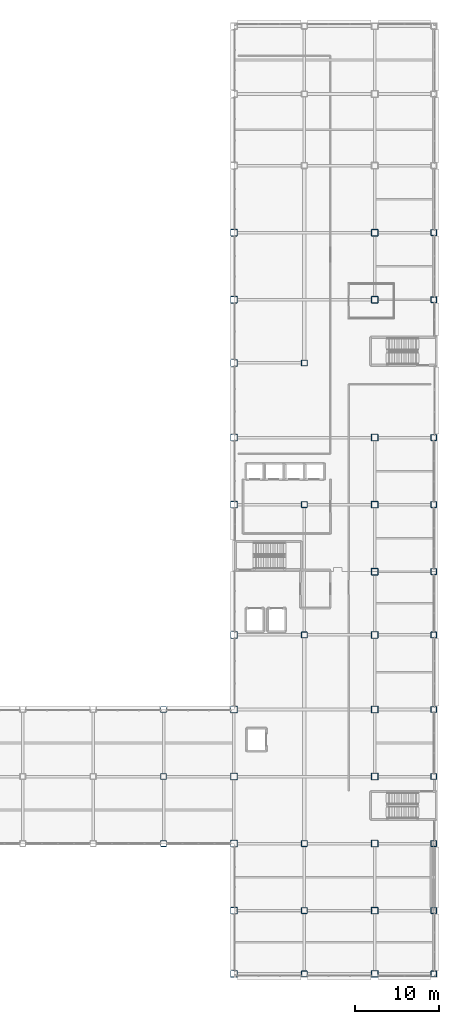
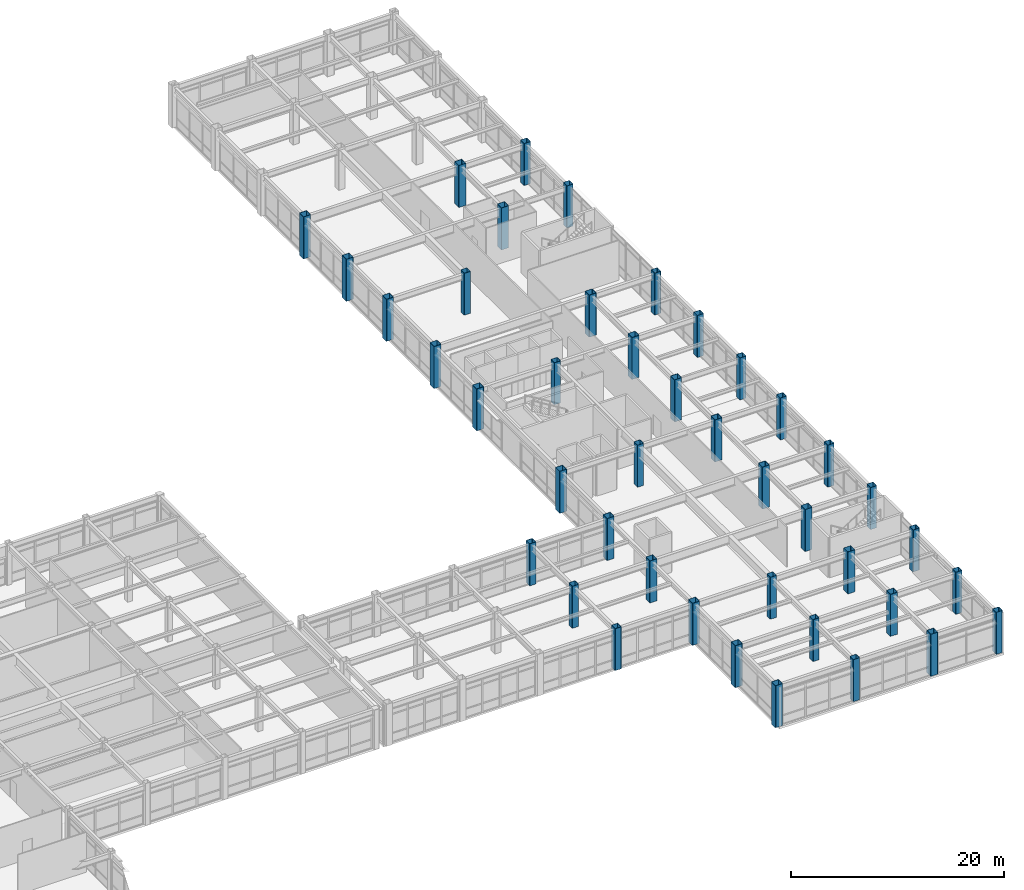
# One storey, part 12 of 154: 42 columns.
"""IFC4 building model written with IfcOpenShell, lengths in metres."""

from ifc_helpers import new_model, si_unit, direction, frame, origin, origin_2d, place, context, subcontext, project, spatial, hollow_rectangle, extrude, material, material_profile, profile_set, type_object, element, save


model = new_model("IFC4")

# Units and contexts
model_context = context("Model", 3, precision=1e-05, world=origin(), true_north=direction((0.0, 1.0)))
body_context = subcontext(model_context, "Body", "Model", "MODEL_VIEW")
ifc_project = project(units=[si_unit("LENGTHUNIT", "METRE"), si_unit("AREAUNIT", "SQUARE_METRE"), si_unit("VOLUMEUNIT", "CUBIC_METRE"), si_unit("PLANEANGLEUNIT", "RADIAN"), si_unit("MASSUNIT", "GRAM", prefix="KILO")], contexts=[model_context])

# Site, building, storey
site_placement = place(None, origin())
site = spatial("IfcSite", under=ifc_project, at=site_placement, CompositionType="ELEMENT")
building_placement = place(site_placement, origin())
building = spatial("IfcBuilding", under=site, at=building_placement, Name="Kazehara Bluff Congress Hotel", CompositionType="ELEMENT")
storey_placement = place(building_placement, frame((0.0, 0.0, 10.199951171875)))
storey = spatial("IfcBuildingStorey", under=building, at=storey_placement, Name="L02", CompositionType="ELEMENT", Elevation=10.199951171875)

# Columns
ifc_material_1 = material(Name="Steel BCR295", Category="steel")
ifc_material_profile_1 = material_profile(ifc_material_1, hollow_rectangle(XDim=0.800048828125, YDim=0.800048828125, WallThickness=0.031982421875, InnerFilletRadius=0.031982421875, OuterFilletRadius=0.06396484375, at=origin_2d()))
ifc_profile_set_1 = profile_set([ifc_material_profile_1], Name="Steel BCR295")
column_type_1 = type_object("IfcColumnType", Name="TP-C-02", PredefinedType="COLUMN", material=ifc_profile_set_1)
for number, where, z_axis, x_axis, name in (
    (1, (143.699951171875, 0.449951171875, 0.0), (0.0, 0.0, 1.0), (1.0, 0.0, 0.0), "L02 column C-02 (143.70,0.45)"),
    (2, (143.699951171875, 8.0, 0.0), (0.0, 0.0, 1.0), (1.0, 0.0, 0.0), "L02 column C-02 (143.70,8.00)"),
    (3, (143.699951171875, 16.0, 0.0), (0.0, 0.0, 1.0), (1.0, 0.0, 0.0), "L02 column C-02 (143.70,16.00)"),
    (4, (143.699951171875, 24.0, 0.0), (0.0, 0.0, 1.0), (1.0, 0.0, 0.0), "L02 column C-02 (143.70,24.00)"),
    (5, (143.699951171875, 32.0, 0.0), (0.0, 0.0, 1.0), (1.0, 0.0, 0.0), "L02 column C-02 (143.70,32.00)"),
    (6, (143.699951171875, 40.89990234375, 0.0), (0.0, 0.0, 1.0), (1.0, 0.0, 0.0), "L02 column C-02 (143.70,40.90)"),
    (7, (143.699951171875, 56.449951171875, 0.0), (0.0, 0.0, 1.0), (1.0, 0.0, 0.0), "L02 column C-02 (143.70,56.45)"),
    (8, (143.699951171875, 64.449951171875, 0.0), (0.0, 0.0, 1.0), (1.0, 0.0, 0.0), "L02 column C-02 (143.70,64.45)"),
    (9, (143.699951171875, 73.35009765625, 0.0), (0.0, 0.0, 1.0), (1.0, 0.0, 0.0), "L02 column C-02 (143.70,73.35)"),
    (10, (143.699951171875, 80.89990234375, 0.0), (0.0, 0.0, 1.0), (1.0, 0.0, 0.0), "L02 column C-02 (143.70,80.90)"),
    (11, (143.699951171875, 88.89990234375, 0.0), (0.0, 0.0, 1.0), (1.0, 0.0, 0.0), "L02 column C-02 (143.70,88.90)"),
    (12, (160.5, 0.449951171875, 0.0), (0.0, 0.0, 1.0), (1.0, 0.0, 0.0), "L02 column C-02 (160.50,0.45)"),
    (13, (160.5, 8.0, 0.0), (0.0, 0.0, 1.0), (1.0, 0.0, 0.0), "L02 column C-02 (160.50,8.00)"),
    (14, (160.5, 16.0, 0.0), (0.0, 0.0, 1.0), (1.0, 0.0, 0.0), "L02 column C-02 (160.50,16.00)"),
    (15, (160.5, 24.0, 0.0), (0.0, 0.0, 1.0), (1.0, 0.0, 0.0), "L02 column C-02 (160.50,24.00)"),
    (16, (160.5, 32.0, 0.0), (0.0, 0.0, 1.0), (1.0, 0.0, 0.0), "L02 column C-02 (160.50,32.00)"),
    (17, (160.5, 40.89990234375, 0.0), (0.0, 0.0, 1.0), (1.0, 0.0, 0.0), "L02 column C-02 (160.50,40.90)"),
    (18, (160.5, 48.449951171875, 0.0), (0.0, 0.0, 1.0), (1.0, 0.0, 0.0), "L02 column C-02 (160.50,48.45)"),
    (19, (160.5, 56.449951171875, 0.0), (0.0, 0.0, 1.0), (1.0, 0.0, 0.0), "L02 column C-02 (160.50,56.45)"),
    (20, (160.5, 64.449951171875, 0.0), (0.0, 0.0, 1.0), (1.0, 0.0, 0.0), "L02 column C-02 (160.50,64.45)"),
    (21, (160.5, 80.89990234375, 0.0), (0.0, 0.0, 1.0), (1.0, 0.0, 0.0), "L02 column C-02 (160.50,80.90)"),
    (22, (160.5, 88.89990234375, 0.0), (0.0, 0.0, 1.0), (1.0, 0.0, 0.0), "L02 column C-02 (160.50,88.90)"),
):
    element("IfcColumn", number, at=place(storey_placement, frame(where, z_axis=z_axis, x_axis=x_axis)), inside=storey, type_object=column_type_1, Name=name, PredefinedType="COLUMN", context=body_context, shape_type="SweptSolid", body=[
        extrude(hollow_rectangle(XDim=0.800048828125, YDim=0.800048828125, WallThickness=0.031982421875, InnerFilletRadius=0.031982421875, OuterFilletRadius=0.06396484375, at=origin_2d()), origin(), (0.0, 0.0, 1.0), 4.800048828125),
    ])
ifc_material_2 = material(Name="Steel BCR295", Category="steel")
ifc_material_profile_2 = material_profile(ifc_material_2, hollow_rectangle(XDim=0.699951171875, YDim=0.699951171875, WallThickness=0.028076171875, InnerFilletRadius=0.028076171875, OuterFilletRadius=0.055908203125, at=origin_2d()))
ifc_profile_set_2 = profile_set([ifc_material_profile_2], Name="Steel BCR295")
column_type_2 = type_object("IfcColumnType", Name="TP-C-03", PredefinedType="COLUMN", material=ifc_profile_set_2)
for number, where, z_axis, x_axis, name in (
    (23, (135.300048828125, 16.0, 0.0), (0.0, 0.0, 1.0), (1.0, 0.0, 0.0), "L02 column C-03 (135.30,16.00)"),
    (24, (135.300048828125, 24.0, 0.0), (0.0, 0.0, 1.0), (1.0, 0.0, 0.0), "L02 column C-03 (135.30,24.00)"),
    (25, (135.300048828125, 32.0, 0.0), (0.0, 0.0, 1.0), (1.0, 0.0, 0.0), "L02 column C-03 (135.30,32.00)"),
    (26, (152.10009765625, 0.449951171875, 0.0), (0.0, 0.0, 1.0), (1.0, 0.0, 0.0), "L02 column C-03 (152.10,0.45)"),
    (27, (152.10009765625, 8.0, 0.0), (0.0, 0.0, 1.0), (1.0, 0.0, 0.0), "L02 column C-03 (152.10,8.00)"),
    (28, (152.10009765625, 16.0, 0.0), (0.0, 0.0, 1.0), (1.0, 0.0, 0.0), "L02 column C-03 (152.10,16.00)"),
    (29, (152.10009765625, 40.89990234375, 0.0), (0.0, 0.0, 1.0), (1.0, 0.0, 0.0), "L02 column C-03 (152.10,40.90)"),
    (30, (152.10009765625, 56.449951171875, 0.0), (0.0, 0.0, 1.0), (1.0, 0.0, 0.0), "L02 column C-03 (152.10,56.45)"),
    (31, (152.10009765625, 73.35009765625, 0.0), (0.0, 0.0, 1.0), (1.0, 0.0, 0.0), "L02 column C-03 (152.10,73.35)"),
    (32, (167.550048828125, 0.449951171875, 0.0), (0.0, 0.0, 1.0), (1.0, 0.0, 0.0), "L02 column C-03 (167.55,0.45)"),
    (33, (167.550048828125, 8.0, 0.0), (0.0, 0.0, 1.0), (1.0, 0.0, 0.0), "L02 column C-03 (167.55,8.00)"),
    (34, (167.550048828125, 16.0, 0.0), (0.0, 0.0, 1.0), (1.0, 0.0, 0.0), "L02 column C-03 (167.55,16.00)"),
    (35, (167.550048828125, 24.0, 0.0), (0.0, 0.0, 1.0), (1.0, 0.0, 0.0), "L02 column C-03 (167.55,24.00)"),
    (36, (167.550048828125, 32.0, 0.0), (0.0, 0.0, 1.0), (1.0, 0.0, 0.0), "L02 column C-03 (167.55,32.00)"),
    (37, (167.550048828125, 40.89990234375, 0.0), (0.0, 0.0, 1.0), (1.0, 0.0, 0.0), "L02 column C-03 (167.55,40.90)"),
    (38, (167.550048828125, 48.449951171875, 0.0), (0.0, 0.0, 1.0), (1.0, 0.0, 0.0), "L02 column C-03 (167.55,48.45)"),
    (39, (167.550048828125, 56.449951171875, 0.0), (0.0, 0.0, 1.0), (1.0, 0.0, 0.0), "L02 column C-03 (167.55,56.45)"),
    (40, (167.550048828125, 64.449951171875, 0.0), (0.0, 0.0, 1.0), (1.0, 0.0, 0.0), "L02 column C-03 (167.55,64.45)"),
    (41, (167.550048828125, 80.89990234375, 0.0), (0.0, 0.0, 1.0), (1.0, 0.0, 0.0), "L02 column C-03 (167.55,80.90)"),
    (42, (167.550048828125, 88.89990234375, 0.0), (0.0, 0.0, 1.0), (1.0, 0.0, 0.0), "L02 column C-03 (167.55,88.90)"),
):
    element("IfcColumn", number, at=place(storey_placement, frame(where, z_axis=z_axis, x_axis=x_axis)), inside=storey, type_object=column_type_2, Name=name, PredefinedType="COLUMN", context=body_context, shape_type="SweptSolid", body=[
        extrude(hollow_rectangle(XDim=0.699951171875, YDim=0.699951171875, WallThickness=0.028076171875, InnerFilletRadius=0.028076171875, OuterFilletRadius=0.055908203125, at=origin_2d()), origin(), (0.0, 0.0, 1.0), 4.800048828125),
    ])

save(model, "model.ifc")
